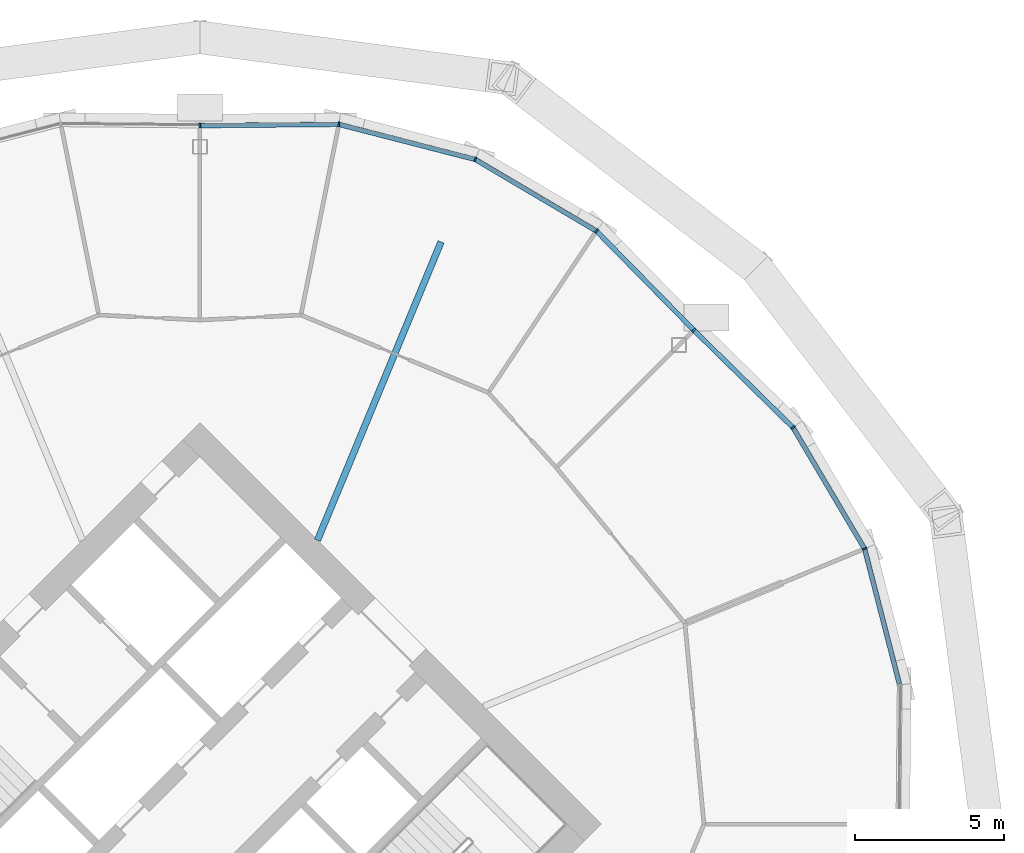
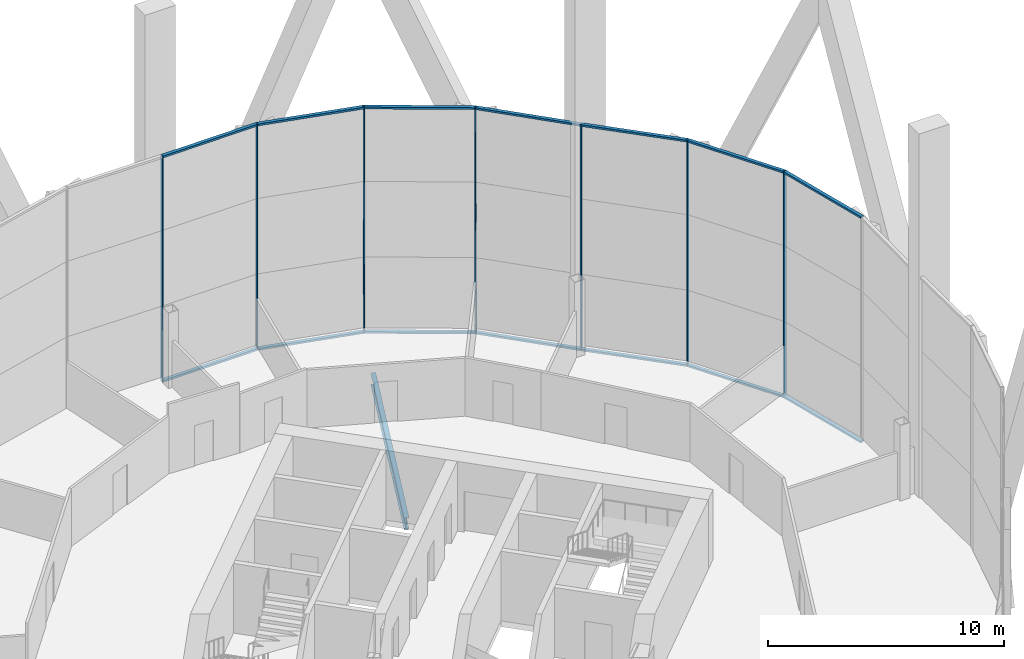
# One storey, part 14 of 26: 21 members, 1 beam, 2 elements without a shape of their own.
"""IFC4 building model written with IfcOpenShell, lengths in metres."""

import ifcopenshell
import ifcopenshell.guid

model = None  # the IFC model being written
_history = None  # IfcOwnerHistory: only IFC2X3 demands one
_inside = {}  # id of a spatial element -> (the spatial element, [elements in it])
_under = {}  # id of a project, library or spatial element -> (it, [spatial elements below it])
_declared = {}  # id of a project -> (the project, [libraries it declares])
_typed = {}  # id of a type object -> (the type object, [elements of that type])
_made_of = {}  # id of a material, layer set ... -> (it, [elements and type objects made of it])


def new_model(schema):
    """Start an empty IFC model of exactly this schema.

    Asked for "IFC4X3", IfcOpenShell would pick the latest addendum, in which some entities
    have other attributes; the version numbers below select the first issue.
    IFC2X3 requires an IfcOwnerHistory on every rooted entity: one is made here for all.
    """
    global model, _history
    if schema == "IFC4X3":
        model = ifcopenshell.file(schema_version=(4, 3, 0, 0))
    else:
        model = ifcopenshell.file(schema=schema)
    _inside.clear()
    _under.clear()
    _declared.clear()
    _typed.clear()
    _made_of.clear()
    _history = None
    if model.schema == "IFC2X3":
        org = make("IfcOrganization", Name="unknown")
        user = make(
            "IfcPersonAndOrganization",
            ThePerson=make("IfcPerson", FamilyName="unknown"),
            TheOrganization=org,
        )
        app = make(
            "IfcApplication",
            ApplicationDeveloper=org,
            Version="unknown",
            ApplicationFullName="unknown",
            ApplicationIdentifier="unknown",
        )
        _history = make(
            "IfcOwnerHistory",
            OwningUser=user,
            OwningApplication=app,
            ChangeAction="ADDED",
            CreationDate=0,
        )
    return model


def make(cls, **values):
    """One entity of the class cls with the attributes given. An attribute that is None is left unset."""
    return model.create_entity(
        cls, **{name: value for name, value in values.items() if value is not None}
    )


def rooted(cls, **values):
    """An entity with a GlobalId (a new one), such as an element, a storey or a relation."""
    return make(cls, GlobalId=ifcopenshell.guid.new(), OwnerHistory=_history, **values)


def si_unit(unit_type, name, prefix=None):
    """IfcSIUnit, for example si_unit("LENGTHUNIT", "METRE", prefix="MILLI")."""
    return make("IfcSIUnit", UnitType=unit_type, Prefix=prefix, Name=name)


def assignment(units):
    """IfcUnitAssignment: the units of a project."""
    return None if units is None else make("IfcUnitAssignment", Units=units)


def point(xyz):
    """IfcCartesianPoint."""
    return None if xyz is None else make("IfcCartesianPoint", Coordinates=xyz)


def direction(xyz):
    """IfcDirection."""
    return None if xyz is None else make("IfcDirection", DirectionRatios=xyz)


def frame(location, z_axis=None, x_axis=None):
    """IfcAxis2Placement3D, a coordinate frame: its origin and axes. An axis left out is left unset."""
    return make(
        "IfcAxis2Placement3D",
        Location=point(location),
        Axis=direction(z_axis),
        RefDirection=direction(x_axis),
    )


def frame_2d(location, x_axis=None):
    """IfcAxis2Placement2D, a coordinate frame in the plane: its origin and x axis."""
    return make(
        "IfcAxis2Placement2D", Location=point(location), RefDirection=direction(x_axis)
    )


def origin():
    """The frame at (0, 0, 0) with its axes left unset."""
    return frame((0.0, 0.0, 0.0))


def origin_2d():
    """The frame at (0, 0) in the plane with its x axis left unset."""
    return frame_2d((0.0, 0.0))


def place(relative_to, where):
    """IfcLocalPlacement: puts the frame where relative to a parent placement (None: the world)."""
    return make(
        "IfcLocalPlacement", PlacementRelTo=relative_to, RelativePlacement=where
    )


def context(
    kind, dimensions, precision=None, world=None, true_north=None, identifier=None
):
    """IfcGeometricRepresentationContext, for example the 3D "Model" context."""
    return make(
        "IfcGeometricRepresentationContext",
        ContextIdentifier=identifier,
        ContextType=kind,
        CoordinateSpaceDimension=dimensions,
        Precision=precision,
        WorldCoordinateSystem=world,
        TrueNorth=true_north,
    )


def subcontext(parent, identifier, kind, view, scale=None):
    """IfcGeometricRepresentationSubContext, for example "Body" below "Model"."""
    return make(
        "IfcGeometricRepresentationSubContext",
        ContextIdentifier=identifier,
        ContextType=kind,
        ParentContext=parent,
        TargetScale=scale,
        TargetView=view,
    )


def project(units=None, contexts=None):
    """IfcProject with its units and contexts."""
    return rooted(
        "IfcProject",
        Name="project",
        RepresentationContexts=contexts,
        UnitsInContext=assignment(units),
    )


def spatial(cls, under=None, at=None, **own):
    """A site, building, storey or space (cls), placed at a placement, below another one or the project."""
    s = rooted(cls, ObjectPlacement=at, **own)
    if under is not None:
        _under.setdefault(under.id(), (under, []))[1].append(s)
    return s


def profile(cls, at=None, kind="AREA", **sizes):
    """A parametric profile (cls). Its sizes go by their IFC names, for example OverallWidth=200.0."""
    return make(cls, ProfileType=kind, Position=at, **sizes)


def rectangle(**sizes):
    """IfcRectangleProfileDef."""
    return profile("IfcRectangleProfileDef", **sizes)


def i_section(**sizes):
    """IfcIShapeProfileDef."""
    return profile("IfcIShapeProfileDef", **sizes)


def extrude(swept, where, along, depth):
    """IfcExtrudedAreaSolid: the profile swept, set in the frame where, extruded along a direction by depth."""
    return make(
        "IfcExtrudedAreaSolid",
        SweptArea=swept,
        Position=where,
        ExtrudedDirection=direction(along),
        Depth=depth,
    )


def shape(context_of_items, identifier, shape_type, items):
    """IfcShapeRepresentation: the items that make up one representation, for example the "Body"."""
    return make(
        "IfcShapeRepresentation",
        ContextOfItems=context_of_items,
        RepresentationIdentifier=identifier,
        RepresentationType=shape_type,
        Items=items,
    )


def material(Name=None, Category=None):
    """IfcMaterial."""
    return make("IfcMaterial", Name=Name, Category=Category)


def material_profile(
    of_material, cross_section, Name=None, Category=None, Priority=None
):
    """IfcMaterialProfile: a cross section and its material."""
    return make(
        "IfcMaterialProfile",
        Name=Name,
        Material=of_material,
        Profile=cross_section,
        Priority=Priority,
        Category=Category,
    )


def profile_set(profiles, Name=None, composite=None):
    """IfcMaterialProfileSet."""
    return make(
        "IfcMaterialProfileSet",
        Name=Name,
        MaterialProfiles=profiles,
        CompositeProfile=composite,
    )


def made_of(thing, what):
    """Note that an element or type object is made of a material, layer set ...; save() writes the relation."""
    if what is not None:
        _made_of.setdefault(what.id(), (what, []))[1].append(thing)
    return thing


def type_object(cls, material=None, **own):
    """A type object (cls), such as IfcWallType, which elements share."""
    return made_of(rooted(cls, **own), material)


def element(
    cls,
    number,
    at=None,
    inside=None,
    cuts=None,
    type_object=None,
    material=None,
    context=None,
    identifier="Body",
    shape_type=None,
    held_by="IfcProductDefinitionShape",
    body=None,
    shapes=None,
    **own,
):
    """One element of the class cls, such as IfcWall. Its Tag is "e" and its number.

    at: its placement. inside: the storey or other place that contains it. cuts: it is an
    opening in that element (IfcRelVoidsElement). A single representation is given by context,
    identifier, shape_type and body (its items); several are given by shapes. held_by: the class
    of the entity that holds the representations. save() writes the other relations.
    """
    e = rooted(cls, Tag="e%d" % number, ObjectPlacement=at, **own)
    if body is not None:
        shapes = [shape(context, identifier, shape_type, body)]
    if shapes is not None:
        e.Representation = make(held_by, Representations=shapes)
    if inside is not None:
        _inside.setdefault(inside.id(), (inside, []))[1].append(e)
    if cuts is not None:
        rooted(
            "IfcRelVoidsElement", RelatingBuildingElement=cuts, RelatedOpeningElement=e
        )
    if type_object is not None:
        _typed.setdefault(type_object.id(), (type_object, []))[1].append(e)
    return made_of(e, material)


def aggregate(whole, parts):
    """IfcRelAggregates: a whole, such as a stair, and the parts it consists of."""
    return rooted("IfcRelAggregates", RelatingObject=whole, RelatedObjects=parts)


def save(model, path):
    """Write the relations noted so far, then the file.

    IfcRelAggregates (storeys below a building ...), IfcRelContainedInSpatialStructure (elements
    in a storey), IfcRelDefinesByType, IfcRelAssociatesMaterial and IfcRelDeclares: one each for
    every whole, place, type object, material and project.
    """
    for whole, parts in _under.values():
        aggregate(whole, parts)
    for where, things in _inside.values():
        rooted(
            "IfcRelContainedInSpatialStructure",
            RelatedElements=things,
            RelatingStructure=where,
        )
    for kind, things in _typed.values():
        rooted("IfcRelDefinesByType", RelatedObjects=things, RelatingType=kind)
    for what, things in _made_of.values():
        rooted("IfcRelAssociatesMaterial", RelatedObjects=things, RelatingMaterial=what)
    for by, libraries in _declared.values():
        rooted("IfcRelDeclares", RelatingContext=by, RelatedDefinitions=libraries)
    model.write(path)


model = new_model("IFC4")

# Units and contexts
model_context = context("Model", 3, precision=1e-05, world=origin(), true_north=direction((0.0, 1.0)))
body_context = subcontext(model_context, "Body", "Model", "MODEL_VIEW")
ifc_project = project(units=[si_unit("LENGTHUNIT", "METRE"), si_unit("AREAUNIT", "SQUARE_METRE"), si_unit("VOLUMEUNIT", "CUBIC_METRE"), si_unit("PLANEANGLEUNIT", "RADIAN"), si_unit("MASSUNIT", "GRAM", prefix="KILO")], contexts=[model_context])

# Site, building, storey
site_placement = place(None, origin())
site = spatial("IfcSite", under=ifc_project, at=site_placement, CompositionType="ELEMENT")
building_placement = place(site_placement, origin())
building = spatial("IfcBuilding", under=site, at=building_placement, Name="Ogive Gate Towers", CompositionType="ELEMENT")
storey_placement = place(building_placement, frame((0.0, 0.0, 76.199951171875)))
storey = spatial("IfcBuildingStorey", under=building, at=storey_placement, Name="L17", CompositionType="ELEMENT", Elevation=76.199951171875)

# Beam
ifc_material_1 = material(Name="Steel SM355", Category="steel")
ifc_material_profile_1 = material_profile(ifc_material_1, i_section(OverallWidth=0.219970703125, OverallDepth=0.60009765625, WebThickness=0.011962890625, FlangeThickness=0.01904296875, FilletRadius=0.02392578125, at=origin_2d()), Name="IPE 600")
ifc_profile_set_1 = profile_set([ifc_material_profile_1], Name="Steel SM355")
beam_type = type_object("IfcBeamType", Name="Radial floor beam IPE 600", PredefinedType="BEAM", material=ifc_profile_set_1)
beam_placement = place(storey_placement, frame((39.93505859375, 9.5, -0.599853515625), z_axis=(0.382675609774, 0.923882772696, 0.0), x_axis=(-0.923882772696, 0.382675609774, 0.0)))
element("IfcBeam", 1, at=beam_placement, inside=storey, type_object=beam_type, Name="T2/L17/SBM005", PredefinedType="BEAM", context=body_context, shape_type="SweptSolid", body=[
    extrude(i_section(OverallWidth=0.219970703125, OverallDepth=0.60009765625, WebThickness=0.011962890625, FlangeThickness=0.01904296875, FilletRadius=0.02392578125, at=origin_2d()), origin(), (0.0, 0.0, 1.0), 10.809326171875),
])

# Curtain wall, members
ifc_material_2 = material(Name="Pale metal aluminium", Category="aluminium")
curtain_wall_type = type_object("IfcCurtainWallType", Name="Tower unitised wall, low zone", PredefinedType="NOTDEFINED", material=ifc_material_2)
curtain_wall_1_placement = place(storey_placement, origin())
curtain_wall_1 = element("IfcCurtainWall", 2, at=curtain_wall_1_placement, inside=storey, type_object=curtain_wall_type, Name="CW1 T2 ECW01", PredefinedType="NOTDEFINED")
ifc_material_profile_2 = material_profile(ifc_material_2, rectangle(XDim=0.159912109375, YDim=0.06005859375, at=origin_2d()), Name="60 x 160 aluminium box")
ifc_profile_set_2 = profile_set([ifc_material_profile_2], Name="Pale metal aluminium")
member_type_1 = type_object("IfcMemberType", Name="Tower unitised wall, low zone mullion 60 x 160", PredefinedType="MULLION", material=ifc_profile_set_2)
member_1_placement = place(storey_placement, frame((58.247802734375, 9.21533203125, -0.300048828125), z_axis=(0.0, 0.0, 1.0), x_axis=(0.923879532511, 0.382683432365, 0.0)))
member_1 = element("IfcMember", 3, at=member_1_placement, type_object=member_type_1, Name="CW1 mullion", PredefinedType="MULLION", context=body_context, shape_type="SweptSolid", body=[
    extrude(rectangle(XDim=0.159912109375, YDim=0.06005859375, at=origin_2d()), origin(), (0.0, 0.0, 1.0), 11.7001953125),
])
member_2_placement = place(storey_placement, frame((55.8525390625, 13.2724609375, -0.300048828125), z_axis=(0.0, 0.0, 1.0), x_axis=(0.787559238498, 0.616238951915, 0.0)))
member_2 = element("IfcMember", 4, at=member_2_placement, type_object=member_type_1, Name="CW1 mullion", PredefinedType="MULLION", context=body_context, shape_type="SweptSolid", body=[
    extrude(rectangle(XDim=0.159912109375, YDim=0.06005859375, at=origin_2d()), origin(), (0.0, 0.0, 1.0), 11.7001953125),
])
member_3_placement = place(storey_placement, frame((52.5322265625, 16.531982421875, -0.300048828125), z_axis=(0.0, 0.0, 1.0), x_axis=(0.700585529358, 0.713568438241, 0.0)))
member_3 = element("IfcMember", 5, at=member_3_placement, type_object=member_type_1, Name="CW1 mullion", PredefinedType="MULLION", context=body_context, shape_type="SweptSolid", body=[
    extrude(rectangle(XDim=0.159912109375, YDim=0.06005859375, at=origin_2d()), origin(), (0.0, 0.0, 1.0), 11.7001953125),
])

curtain_wall_2_placement = place(storey_placement, origin())
curtain_wall_2 = element("IfcCurtainWall", 6, at=curtain_wall_2_placement, inside=storey, type_object=curtain_wall_type, Name="CW1 T2 ECW02", PredefinedType="NOTDEFINED")
member_4_placement = place(storey_placement, frame((49.2724609375, 19.8525390625, -0.300048828125), z_axis=(0.0, 0.0, 1.0), x_axis=(0.616238951915, 0.787559238498, 0.0)))
member_4 = element("IfcMember", 7, at=member_4_placement, type_object=member_type_1, Name="CW1 mullion", PredefinedType="MULLION", context=body_context, shape_type="SweptSolid", body=[
    extrude(rectangle(XDim=0.159912109375, YDim=0.06005859375, at=origin_2d()), origin(), (0.0, 0.0, 1.0), 11.7001953125),
])
member_5_placement = place(storey_placement, frame((45.21533203125, 22.247802734375, -0.300048828125), z_axis=(0.0, 0.0, 1.0), x_axis=(0.382683432365, 0.923879532511, 0.0)))
member_5 = element("IfcMember", 8, at=member_5_placement, type_object=member_type_1, Name="CW1 mullion", PredefinedType="MULLION", context=body_context, shape_type="SweptSolid", body=[
    extrude(rectangle(XDim=0.159912109375, YDim=0.06005859375, at=origin_2d()), origin(), (0.0, 0.0, 1.0), 11.7001953125),
])
member_6_placement = place(storey_placement, frame((40.653076171875, 23.4228515625, -0.300048828125), z_axis=(0.0, 0.0, 1.0), x_axis=(0.121141736398, 0.992635219858, 0.0)))
member_6 = element("IfcMember", 9, at=member_6_placement, type_object=member_type_1, Name="CW1 mullion", PredefinedType="MULLION", context=body_context, shape_type="SweptSolid", body=[
    extrude(rectangle(XDim=0.159912109375, YDim=0.06005859375, at=origin_2d()), origin(), (0.0, 0.0, 1.0), 11.7001953125),
])
member_7_placement = place(storey_placement, frame((36.000244140625, 23.3798828125, -0.300048828125), z_axis=(0.0, 0.0, 1.0), x_axis=(-0.009197755467, 0.999957699753, 0.0)))
member_7 = element("IfcMember", 10, at=member_7_placement, type_object=member_type_1, Name="CW1 mullion", PredefinedType="MULLION", context=body_context, shape_type="SweptSolid", body=[
    extrude(rectangle(XDim=0.159912109375, YDim=0.06005859375, at=origin_2d()), origin(), (0.0, 0.0, 1.0), 11.7001953125),
])

# Member
ifc_material_profile_3 = material_profile(ifc_material_2, rectangle(XDim=0.159912109375, YDim=0.10009765625, at=origin_2d()), Name="100 x 160 aluminium box")
ifc_profile_set_3 = profile_set([ifc_material_profile_3], Name="Pale metal aluminium")
member_type_2 = type_object("IfcMemberType", Name="Tower unitised wall, low zone transom 100 x 160", PredefinedType="USERDEFINED", material=ifc_profile_set_3)
member_8_placement = place(storey_placement, frame((59.416015625, 4.679443359375, 11.35009765625), z_axis=(-0.249437215612, 0.968390972422, 0.0), x_axis=(-0.968390972422, -0.249437215612, 0.0)))
member_8 = element("IfcMember", 11, at=member_8_placement, type_object=member_type_2, Name="CW1 transom", ObjectType="TRANSOM", PredefinedType="USERDEFINED", context=body_context, shape_type="SweptSolid", body=[
    extrude(rectangle(XDim=0.159912109375, YDim=0.10009765625, at=origin_2d()), origin(), (0.0, 0.0, 1.0), 4.656982421875),
])

member_9_placement = place(storey_placement, frame((59.416015625, 4.679443359375, -0.25), z_axis=(-0.249437215612, 0.968390972422, 0.0), x_axis=(-0.968390972422, -0.249437215612, 0.0)))
member_9 = element("IfcMember", 12, at=member_9_placement, type_object=member_type_2, Name="CW1 transom", ObjectType="TRANSOM", PredefinedType="USERDEFINED", context=body_context, shape_type="SweptSolid", body=[
    extrude(rectangle(XDim=0.159912109375, YDim=0.10009765625, at=origin_2d()), origin(), (0.0, 0.0, 1.0), 4.656982421875),
])

member_10_placement = place(storey_placement, frame((58.23388671875, 9.23876953125, 11.35009765625), z_axis=(-0.508391904902, 0.861125816028, 0.0), x_axis=(-0.861125816028, -0.508391904902, 0.0)))
member_10 = element("IfcMember", 13, at=member_10_placement, type_object=member_type_2, Name="CW1 transom", ObjectType="TRANSOM", PredefinedType="USERDEFINED", context=body_context, shape_type="SweptSolid", body=[
    extrude(rectangle(XDim=0.159912109375, YDim=0.10009765625, at=origin_2d()), origin(), (0.0, 0.0, 1.0), 4.65673828125),
])

member_11_placement = place(storey_placement, frame((58.23388671875, 9.23876953125, -0.25), z_axis=(-0.508391904902, 0.861125816028, 0.0), x_axis=(-0.861125816028, -0.508391904902, 0.0)))
member_11 = element("IfcMember", 14, at=member_11_placement, type_object=member_type_2, Name="CW1 transom", ObjectType="TRANSOM", PredefinedType="USERDEFINED", context=body_context, shape_type="SweptSolid", body=[
    extrude(rectangle(XDim=0.159912109375, YDim=0.10009765625, at=origin_2d()), origin(), (0.0, 0.0, 1.0), 4.65673828125),
])

member_12_placement = place(storey_placement, frame((55.8330078125, 13.29150390625, 11.35009765625), z_axis=(-0.713584733888, 0.700568931342, 0.0), x_axis=(-0.700568931342, -0.713584733888, 0.0)))
member_12 = element("IfcMember", 15, at=member_12_placement, type_object=member_type_2, Name="CW1 transom", ObjectType="TRANSOM", PredefinedType="USERDEFINED", context=body_context, shape_type="SweptSolid", body=[
    extrude(rectangle(XDim=0.159912109375, YDim=0.10009765625, at=origin_2d()), origin(), (0.0, 0.0, 1.0), 4.595458984375),
])

member_13_placement = place(storey_placement, frame((55.8330078125, 13.29150390625, -0.25), z_axis=(-0.713584733888, 0.700568931342, 0.0), x_axis=(-0.700568931342, -0.713584733888, 0.0)))
member_13 = element("IfcMember", 16, at=member_13_placement, type_object=member_type_2, Name="CW1 transom", ObjectType="TRANSOM", PredefinedType="USERDEFINED", context=body_context, shape_type="SweptSolid", body=[
    extrude(rectangle(XDim=0.159912109375, YDim=0.10009765625, at=origin_2d()), origin(), (0.0, 0.0, 1.0), 4.595458984375),
])

aggregate(curtain_wall_1, [member_1, member_8, member_9, member_2, member_10, member_11, member_3, member_12, member_13])

member_14_placement = place(storey_placement, frame((52.510986328125, 16.5537109375, 11.35009765625), z_axis=(-0.700568931342, 0.713584733888, 0.0), x_axis=(-0.713584733888, -0.700568931342, 0.0)))
member_14 = element("IfcMember", 17, at=member_14_placement, type_object=member_type_2, Name="CW1 transom", ObjectType="TRANSOM", PredefinedType="USERDEFINED", context=body_context, shape_type="SweptSolid", body=[
    extrude(rectangle(XDim=0.159912109375, YDim=0.10009765625, at=origin_2d()), origin(), (0.0, 0.0, 1.0), 4.595458984375),
])

member_15_placement = place(storey_placement, frame((52.510986328125, 16.5537109375, -0.25), z_axis=(-0.700568931342, 0.713584733888, 0.0), x_axis=(-0.713584733888, -0.700568931342, 0.0)))
member_15 = element("IfcMember", 18, at=member_15_placement, type_object=member_type_2, Name="CW1 transom", ObjectType="TRANSOM", PredefinedType="USERDEFINED", context=body_context, shape_type="SweptSolid", body=[
    extrude(rectangle(XDim=0.159912109375, YDim=0.10009765625, at=origin_2d()), origin(), (0.0, 0.0, 1.0), 4.595458984375),
])

member_16_placement = place(storey_placement, frame((49.248779296875, 19.866455078125, 11.35009765625), z_axis=(-0.861125816028, 0.508391904902, 0.0), x_axis=(-0.508391904902, -0.861125816028, 0.0)))
member_16 = element("IfcMember", 19, at=member_16_placement, type_object=member_type_2, Name="CW1 transom", ObjectType="TRANSOM", PredefinedType="USERDEFINED", context=body_context, shape_type="SweptSolid", body=[
    extrude(rectangle(XDim=0.159912109375, YDim=0.10009765625, at=origin_2d()), origin(), (0.0, 0.0, 1.0), 4.65673828125),
])

member_17_placement = place(storey_placement, frame((49.248779296875, 19.866455078125, -0.25), z_axis=(-0.861125816028, 0.508391904902, 0.0), x_axis=(-0.508391904902, -0.861125816028, 0.0)))
member_17 = element("IfcMember", 20, at=member_17_placement, type_object=member_type_2, Name="CW1 transom", ObjectType="TRANSOM", PredefinedType="USERDEFINED", context=body_context, shape_type="SweptSolid", body=[
    extrude(rectangle(XDim=0.159912109375, YDim=0.10009765625, at=origin_2d()), origin(), (0.0, 0.0, 1.0), 4.65673828125),
])

member_18_placement = place(storey_placement, frame((45.189208984375, 22.25439453125, 11.35009765625), z_axis=(-0.968390972422, 0.249437215612, 0.0), x_axis=(-0.249437215612, -0.968390972422, 0.0)))
member_18 = element("IfcMember", 21, at=member_18_placement, type_object=member_type_2, Name="CW1 transom", ObjectType="TRANSOM", PredefinedType="USERDEFINED", context=body_context, shape_type="SweptSolid", body=[
    extrude(rectangle(XDim=0.159912109375, YDim=0.10009765625, at=origin_2d()), origin(), (0.0, 0.0, 1.0), 4.656982421875),
])

member_19_placement = place(storey_placement, frame((45.189208984375, 22.25439453125, -0.25), z_axis=(-0.968390972422, 0.249437215612, 0.0), x_axis=(-0.249437215612, -0.968390972422, 0.0)))
member_19 = element("IfcMember", 22, at=member_19_placement, type_object=member_type_2, Name="CW1 transom", ObjectType="TRANSOM", PredefinedType="USERDEFINED", context=body_context, shape_type="SweptSolid", body=[
    extrude(rectangle(XDim=0.159912109375, YDim=0.10009765625, at=origin_2d()), origin(), (0.0, 0.0, 1.0), 4.656982421875),
])

member_20_placement = place(storey_placement, frame((40.62548828125, 23.422607421875, 11.35009765625), z_axis=(-0.999957762018, -0.009190983574, 0.0), x_axis=(0.009190983574, -0.999957762018, 0.0)))
member_20 = element("IfcMember", 23, at=member_20_placement, type_object=member_type_2, Name="CW1 transom", ObjectType="TRANSOM", PredefinedType="USERDEFINED", context=body_context, shape_type="SweptSolid", body=[
    extrude(rectangle(XDim=0.159912109375, YDim=0.10009765625, at=origin_2d()), origin(), (0.0, 0.0, 1.0), 4.595458984375),
])

member_21_placement = place(storey_placement, frame((40.62548828125, 23.422607421875, -0.25), z_axis=(-0.999957762018, -0.009190983574, 0.0), x_axis=(0.009190983574, -0.999957762018, 0.0)))
member_21 = element("IfcMember", 24, at=member_21_placement, type_object=member_type_2, Name="CW1 transom", ObjectType="TRANSOM", PredefinedType="USERDEFINED", context=body_context, shape_type="SweptSolid", body=[
    extrude(rectangle(XDim=0.159912109375, YDim=0.10009765625, at=origin_2d()), origin(), (0.0, 0.0, 1.0), 4.595458984375),
])

aggregate(curtain_wall_2, [member_4, member_14, member_15, member_5, member_16, member_17, member_6, member_18, member_19, member_7, member_20, member_21])

save(model, "model.ifc")
